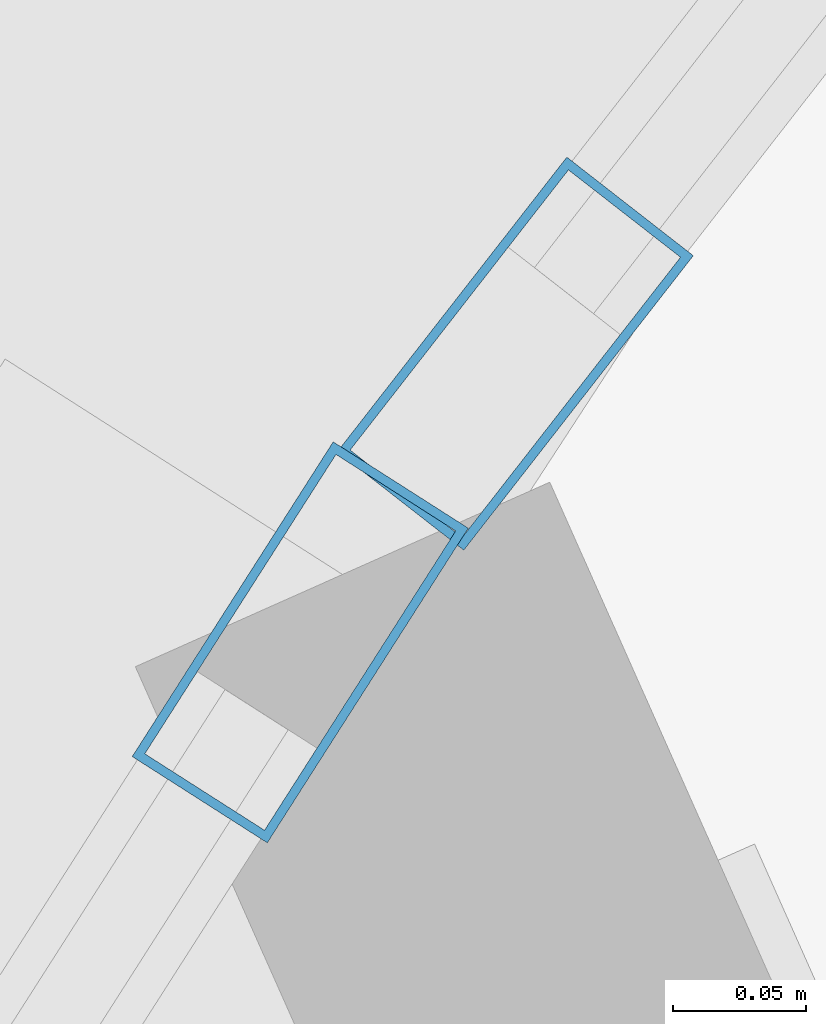
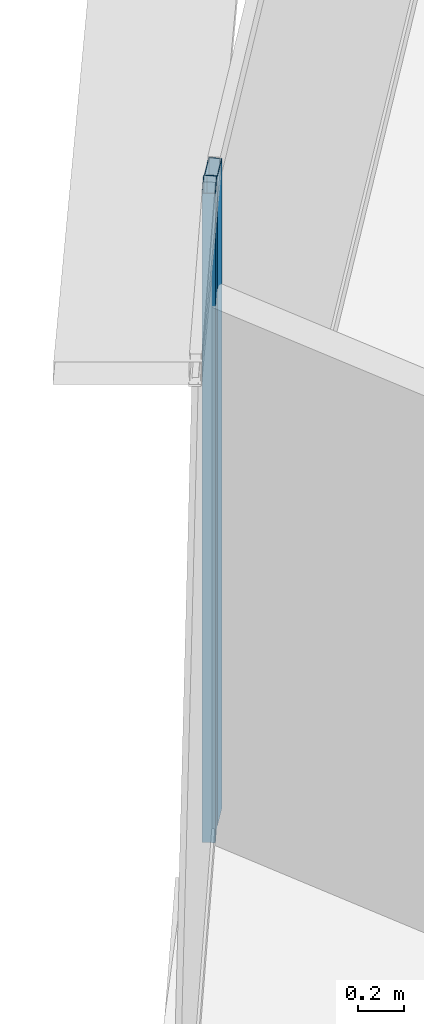
# One storey, part 19 of 37: 2 members, 2 elements without a shape of their own.
"""IFC4 building model written with IfcOpenShell, lengths in metres."""

from ifc_helpers import new_model, si_unit, direction, frame, origin, origin_2d, place, context, subcontext, project, spatial, hollow_rectangle, extrude, source, transform, mapped, material, layer, layer_set, material_profile, profile_set, type_object, element, aggregate, save


model = new_model("IFC4")

# Units and contexts
model_context = context("Model", 3, precision=1e-05, world=origin(), true_north=direction((0.0, 1.0)))
body_context = subcontext(model_context, "Body", "Model", "MODEL_VIEW")
ifc_project = project(units=[si_unit("LENGTHUNIT", "METRE"), si_unit("AREAUNIT", "SQUARE_METRE"), si_unit("VOLUMEUNIT", "CUBIC_METRE"), si_unit("PLANEANGLEUNIT", "RADIAN"), si_unit("MASSUNIT", "GRAM", prefix="KILO"), si_unit("THERMODYNAMICTEMPERATUREUNIT", "KELVIN"), si_unit("POWERUNIT", "WATT")], contexts=[model_context])

# Site, building, storey
site_placement = place(None, origin())
site = spatial("IfcSite", under=ifc_project, at=site_placement, CompositionType="ELEMENT")
building_placement = place(site_placement, origin())
building = spatial("IfcBuilding", under=site, at=building_placement, Name="Yunzhuo Pagoda Commons", CompositionType="ELEMENT")
storey_placement = place(building_placement, frame((0.0, 0.0, 277.56005859375)))
storey = spatial("IfcBuildingStorey", under=building, at=storey_placement, Name="L69", CompositionType="ELEMENT", Elevation=277.56005859375)

# Curtain wall, member
ifc_material = material(Name="Anodized aluminium 6063-T6", Category="aluminium")
ifc_layer = layer(ifc_material, 0.139892578125)
ifc_layer_set = layer_set([ifc_layer], Name="Anodized aluminium 6063-T6")
curtain_wall_type = type_object("IfcCurtainWallType", Name="CW-HI High-Zone Ribbon Curtain Wall", PredefinedType="NOTDEFINED", material=ifc_layer_set)
curtain_wall_1_placement = place(storey_placement, origin())
curtain_wall_1 = element("IfcCurtainWall", 1, at=curtain_wall_1_placement, inside=storey, type_object=curtain_wall_type, Name="L69 curtain wall CW-L69-F3B2", PredefinedType="NOTDEFINED")
ifc_material_profile = material_profile(ifc_material, hollow_rectangle(XDim=0.06005859375, YDim=0.139892578125, WallThickness=0.00341796875, at=origin_2d()), Name="Anodized aluminium 6063-T6")
ifc_profile_set = profile_set([ifc_material_profile], Name="Anodized aluminium 6063-T6")
member_type = type_object("IfcMemberType", Name="CW-HI-M Mullion RHS 140x60x3.5", PredefinedType="MULLION", material=ifc_profile_set)
shared_shape = source(origin(), body_context, "Body", "SweptSolid", [
    extrude(hollow_rectangle(XDim=0.06005859375, YDim=0.139892578125, WallThickness=0.00341796875, at=origin_2d()), origin(), (0.0, 0.0, 1.0), 3.469970703125),
])
member_1_placement = place(storey_placement, frame((34.473388671875, 64.020263671875, 0.0), z_axis=(0.0, 0.0, 1.0), x_axis=(0.842779157761, -0.538259501768, 0.0)))
member_1 = element("IfcMember", 2, at=member_1_placement, type_object=member_type, Name="CW mullion 1", PredefinedType="MULLION", context=body_context, shape_type="MappedRepresentation", body=[
    mapped(shared_shape, transform((0.0, 0.0, 0.0), scale=1.0)),
])
aggregate(curtain_wall_1, [member_1])

curtain_wall_2_placement = place(storey_placement, origin())
curtain_wall_2 = element("IfcCurtainWall", 3, at=curtain_wall_2_placement, inside=storey, type_object=curtain_wall_type, Name="L69 curtain wall CW-L69-F3B1", PredefinedType="NOTDEFINED")
member_2_placement = place(storey_placement, frame((34.553955078125, 64.12841796875, 0.0), z_axis=(0.0, 0.0, 1.0), x_axis=(0.78878314481, -0.614671579353, 0.0)))
member_2 = element("IfcMember", 4, at=member_2_placement, type_object=member_type, Name="CW mullion 2", PredefinedType="MULLION", context=body_context, shape_type="MappedRepresentation", body=[
    mapped(shared_shape, transform((0.0, 0.0, 0.0), scale=1.0)),
])
aggregate(curtain_wall_2, [member_2])

save(model, "model.ifc")
